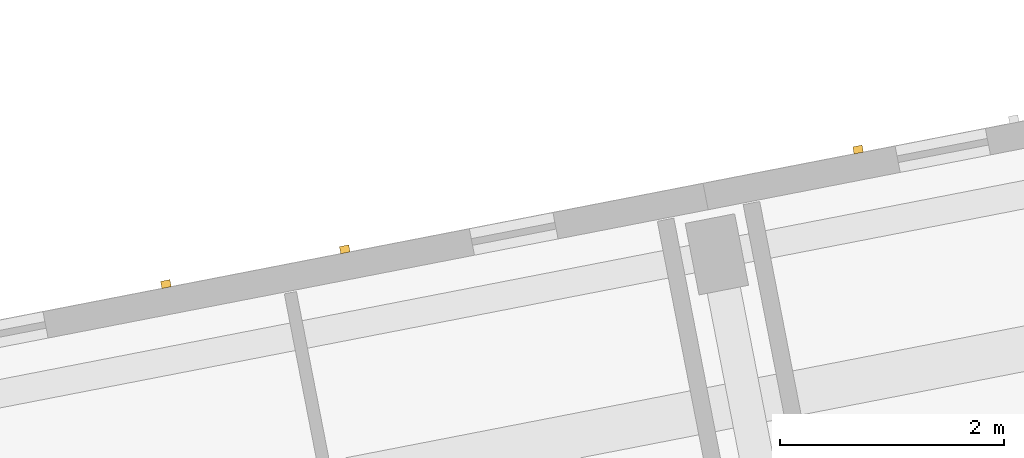
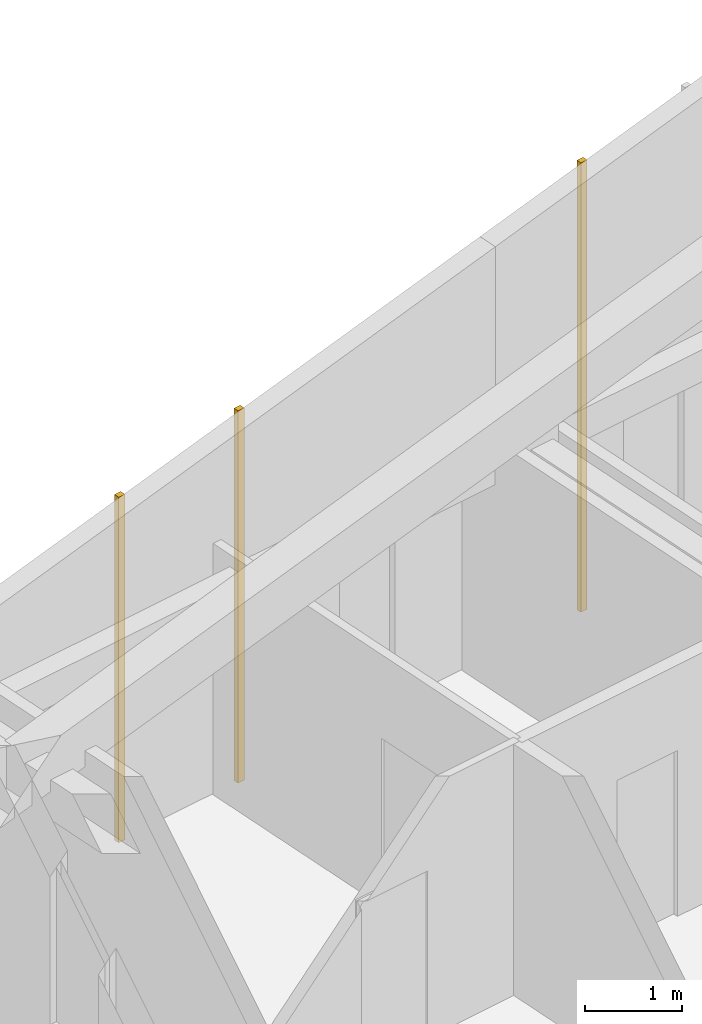
# One storey, part 53 of 64: 3 coverings.
"""IFC4 building model written with IfcOpenShell, lengths in metres."""

from ifc_helpers import new_model, si_unit, direction, frame, origin, origin_2d, place, context, subcontext, project, spatial, rectangle, extrude, material, layer, layer_set, type_object, element, save


model = new_model("IFC4")

# Units and contexts
model_context = context("Model", 3, precision=1e-05, world=origin(), true_north=direction((0.0, 1.0)))
body_context = subcontext(model_context, "Body", "Model", "MODEL_VIEW")
ifc_project = project(units=[si_unit("LENGTHUNIT", "METRE"), si_unit("AREAUNIT", "SQUARE_METRE"), si_unit("VOLUMEUNIT", "CUBIC_METRE"), si_unit("PLANEANGLEUNIT", "RADIAN"), si_unit("MASSUNIT", "GRAM", prefix="KILO")], contexts=[model_context])

# Site, building, storey
site_placement = place(None, origin())
site = spatial("IfcSite", under=ifc_project, at=site_placement, CompositionType="ELEMENT")
building_placement = place(site_placement, origin())
building = spatial("IfcBuilding", under=site, at=building_placement, Name="Kestramere Prow Commons", CompositionType="ELEMENT")
storey_placement = place(building_placement, frame((0.0, 0.0, 24.64990234375)))
storey = spatial("IfcBuildingStorey", under=building, at=storey_placement, Name="L07", CompositionType="ELEMENT", Elevation=24.64990234375)

# Coverings
ifc_material = material(Name="Weathered Zinc-Titanium Standing-Seam Cladding")
ifc_layer = layer(ifc_material, 0.074951171875)
ifc_layer_set = layer_set([ifc_layer], Name="Weathered Zinc-Titanium Standing-Seam Cladding")
covering_type = type_object("IfcCoveringType", Name="COV-CLAD-SEAM", PredefinedType="CLADDING", material=ifc_layer_set)
covering_1_placement = place(storey_placement, frame((124.666259765625, 55.875, -0.25), z_axis=(0.0, 0.0, 1.0), x_axis=(0.981627183448, 0.190808995377, 0.0)))
element("IfcCovering", 1, at=covering_1_placement, inside=storey, type_object=covering_type, Name="EW-D-L07-N-1 Standing-Seam Rib 2", PredefinedType="CLADDING", context=body_context, shape_type="SweptSolid", body=[
    extrude(rectangle(XDim=0.0849609375, YDim=0.06494140625, at=origin_2d()), origin(), (0.0, 0.0, 1.0), 4.331787109375),
])
covering_2_placement = place(storey_placement, frame((126.26123046875, 56.18505859375, -0.25), z_axis=(0.0, 0.0, 1.0), x_axis=(0.981627183448, 0.190808995377, 0.0)))
element("IfcCovering", 2, at=covering_2_placement, inside=storey, type_object=covering_type, Name="EW-D-L07-N-1 Standing-Seam Rib 3", PredefinedType="CLADDING", context=body_context, shape_type="SweptSolid", body=[
    extrude(rectangle(XDim=0.0849609375, YDim=0.06494140625, at=origin_2d()), origin(), (0.0, 0.0, 1.0), 4.668212890625),
])
covering_3_placement = place(storey_placement, frame((130.840576171875, 57.0751953125, -0.25), z_axis=(0.0, 0.0, 1.0), x_axis=(0.981627183448, 0.190808995377, 0.0)))
element("IfcCovering", 3, at=covering_3_placement, inside=storey, type_object=covering_type, Name="EW-D-L07-N-2 Standing-Seam Rib 1", PredefinedType="CLADDING", context=body_context, shape_type="SweptSolid", body=[
    extrude(rectangle(XDim=0.0849609375, YDim=0.06494140625, at=origin_2d()), origin(), (0.0, 0.0, 1.0), 5.633544921875),
])

save(model, "model.ifc")
